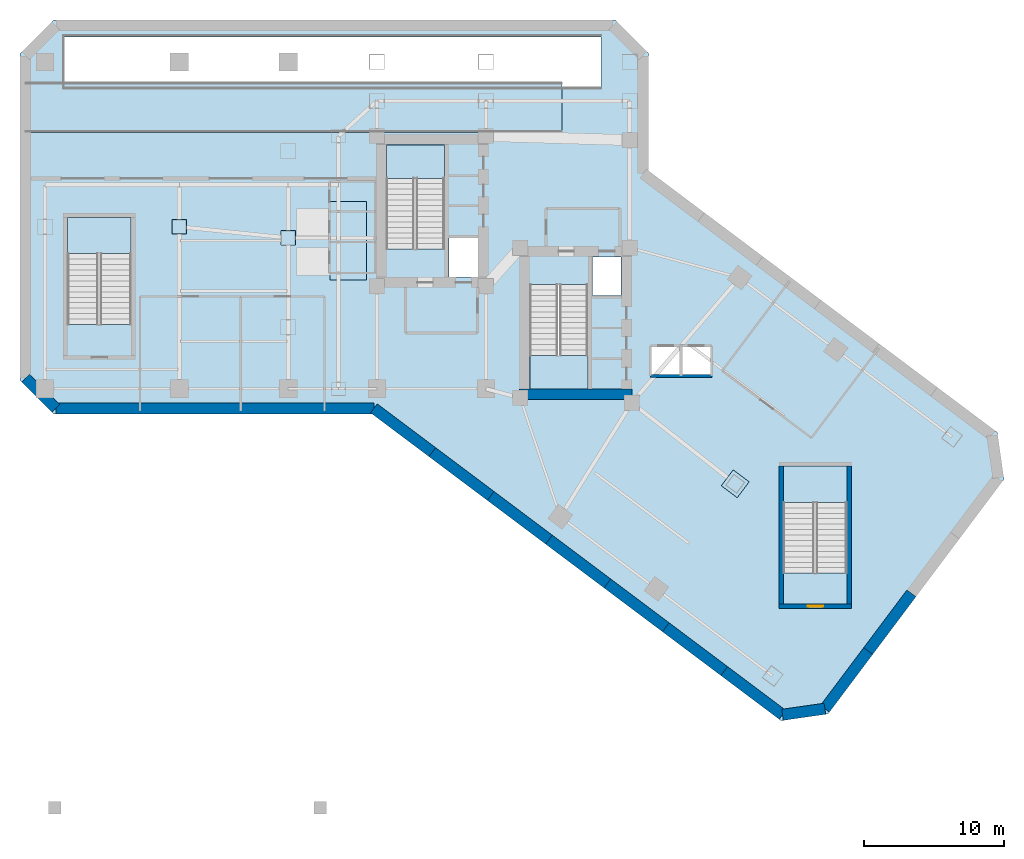
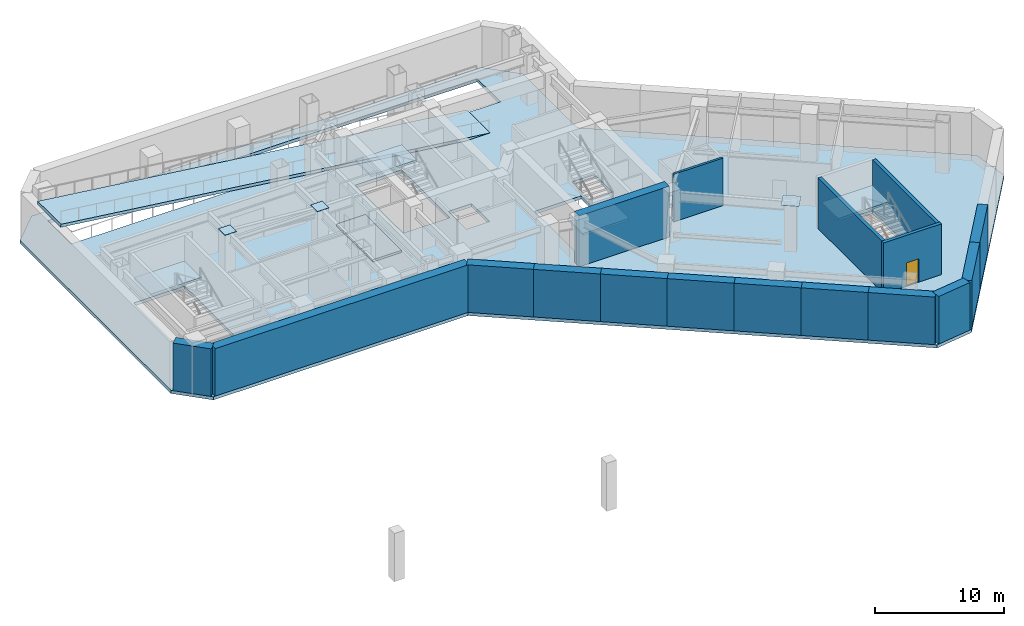
# One storey, part 2 of 9: 17 walls, 7 slabs, 3 plates, 1 door, 1 opening, 4 elements without a shape of their own.
"""IFC4 building model written with IfcOpenShell, lengths in metres."""

from ifc_helpers import new_model, si_unit, direction, frame, frame_2d, origin, origin_2d, place, context, subcontext, project, spatial, polyline, rectangle, outline, extrude, material, layer, layer_set, type_object, element, fill, aggregate, save


model = new_model("IFC4")

# Units and contexts
model_context = context("Model", 3, precision=1e-05, world=origin(), true_north=direction((0.0, 1.0)))
body_context = subcontext(model_context, "Body", "Model", "MODEL_VIEW")
ifc_project = project(units=[si_unit("LENGTHUNIT", "METRE"), si_unit("AREAUNIT", "SQUARE_METRE"), si_unit("VOLUMEUNIT", "CUBIC_METRE"), si_unit("PLANEANGLEUNIT", "RADIAN"), si_unit("MASSUNIT", "GRAM", prefix="KILO")], contexts=[model_context])

# Site, building, storey
site_placement = place(None, origin())
site = spatial("IfcSite", under=ifc_project, at=site_placement, CompositionType="ELEMENT")
building_placement = place(site_placement, origin())
building = spatial("IfcBuilding", under=site, at=building_placement, Name="Hatsunagi Terrace Concourse", CompositionType="ELEMENT")
storey_placement = place(building_placement, frame((0.0, 0.0, -4.800048828125)))
storey = spatial("IfcBuildingStorey", under=building, at=storey_placement, Name="B01", CompositionType="ELEMENT", Elevation=-4.800048828125)

# Plates
ifc_material_1 = material(Name="Steel SN490C", Category="steel")
ifc_layer_1 = layer(ifc_material_1, 0.031982421875)
ifc_layer_set_1 = layer_set([ifc_layer_1], Name="ColumnEndCapPlate_32")
plate_type = type_object("IfcPlateType", Name="ColumnEndCapPlate_32", PredefinedType="USERDEFINED", material=ifc_layer_set_1)
for number, where, z_axis, x_axis, name in (
    (1, (11.39990234375, 36.800048828125, 4.46826171875), (0.0, 0.0, 1.0), (1.0, 0.0, 0.0), "Hollow Column Top Cap Plate GP-03 B01-WT1"),
    (2, (19.199951171875, 36.0, 4.46826171875), (0.0, 0.0, 1.0), (1.0, 0.0, 0.0), "Hollow Column Top Cap Plate GP-03 B01-WT2"),
):
    element("IfcPlate", number, at=place(storey_placement, frame(where, z_axis=z_axis, x_axis=x_axis)), inside=storey, type_object=plate_type, Name=name, ObjectType="GUSSET_PLATE", PredefinedType="USERDEFINED", context=body_context, shape_type="SweptSolid", body=[
        extrude(rectangle(XDim=1.0400390625, YDim=1.0400390625, at=origin_2d()), origin(), (0.0, 0.0, 1.0), 0.031982421875),
    ])
plate_placement = place(storey_placement, frame((51.199951171875, 18.39990234375, 4.46826171875), z_axis=(0.0, 0.0, 1.0), x_axis=(0.799999996291, -0.600000004945, 0.0)))
element("IfcPlate", 3, at=plate_placement, inside=storey, type_object=plate_type, Name="Hollow Column Top Cap Plate GP-03 B01-SEM2", ObjectType="GUSSET_PLATE", PredefinedType="USERDEFINED", context=body_context, shape_type="SweptSolid", body=[
    extrude(rectangle(XDim=1.419921875, YDim=1.419921875, at=origin_2d()), origin(), (0.0, 0.0, 1.0), 0.031982421875),
])

# Stair, slab
ifc_material_2 = material(Name="Concrete Fc42", Category="concrete")
stair_type_1 = type_object("IfcStairType", Name="DoglegExitStair_Podium2200_28R_171", PredefinedType="HALF_TURN_STAIR", material=ifc_material_2)
stair_1_placement = place(storey_placement, origin())
stair_1 = element("IfcStair", 4, at=stair_1_placement, inside=storey, type_object=stair_type_1, Name="B01 West Podium Convention Exit Stair ST-P1", PredefinedType="HALF_TURN_STAIR")
ifc_material_3 = material(Name="Concrete Fc42", Category="concrete")
ifc_layer_2 = layer(ifc_material_3, 0.199951171875)
ifc_layer_set_2 = layer_set([ifc_layer_2], Name="DoglegStairLanding_Podium2200")
slab_type_1 = type_object("IfcSlabType", Name="DoglegStairLanding_Podium2200", PredefinedType="LANDING", material=ifc_layer_set_2)
slab_1_placement = place(storey_placement, frame((0.0, 0.0, 2.199951171875)))
slab_1 = element("IfcSlab", 5, at=slab_1_placement, type_object=slab_type_1, Name="ST-P1 landing 1", PredefinedType="LANDING", context=body_context, shape_type="SweptSolid", body=[
    extrude(outline(polyline([(7.949951171875, 34.8701171875), (7.949951171875, 37.4599609375), (3.39990234375, 37.4599609375), (3.39990234375, 34.8701171875), (7.949951171875, 34.8701171875)])), origin(), (0.0, 0.0, 1.0), 0.2001953125),
])
aggregate(stair_1, [slab_1])

stair_2_placement = place(storey_placement, origin())
stair_2 = element("IfcStair", 6, at=stair_2_placement, inside=storey, type_object=stair_type_1, Name="B01 Southeast Podium Ballroom Exit Stair ST-P2", PredefinedType="HALF_TURN_STAIR")
slab_2_placement = place(storey_placement, frame((0.0, 0.0, 2.199951171875)))
slab_2 = element("IfcSlab", 7, at=slab_2_placement, type_object=slab_type_1, Name="ST-P2 landing 1", PredefinedType="LANDING", context=body_context, shape_type="SweptSolid", body=[
    extrude(outline(polyline([(59.199951171875, 17.070068359375), (59.199951171875, 19.659912109375), (54.64990234375, 19.659912109375), (54.64990234375, 17.070068359375), (59.199951171875, 17.070068359375)])), origin(), (0.0, 0.0, 1.0), 0.2001953125),
])
aggregate(stair_2, [slab_2])

ifc_material_4 = material(Name="Concrete Fc42", Category="concrete")
stair_type_2 = type_object("IfcStairType", Name="DoglegExitStair_Tower2000_28R_171", PredefinedType="HALF_TURN_STAIR", material=ifc_material_4)
stair_3_placement = place(storey_placement, origin())
stair_3 = element("IfcStair", 8, at=stair_3_placement, inside=storey, type_object=stair_type_2, Name="B01 Core A Protected Exit Stair ST-A", PredefinedType="HALF_TURN_STAIR")
ifc_material_5 = material(Name="Concrete Fc42", Category="concrete")
ifc_layer_3 = layer(ifc_material_5, 0.199951171875)
ifc_layer_set_3 = layer_set([ifc_layer_3], Name="DoglegStairLanding_Tower2000")
slab_type_2 = type_object("IfcSlabType", Name="DoglegStairLanding_Tower2000", PredefinedType="LANDING", material=ifc_layer_set_3)
slab_3_placement = place(storey_placement, frame((0.0, 0.0, 2.199951171875)))
slab_3 = element("IfcSlab", 9, at=slab_3_placement, type_object=slab_type_2, Name="ST-A landing 1", PredefinedType="LANDING", context=body_context, shape_type="SweptSolid", body=[
    extrude(outline(polyline([(30.3798828125, 40.27001953125), (30.3798828125, 42.659912109375), (26.22998046875, 42.659912109375), (26.22998046875, 40.27001953125), (30.3798828125, 40.27001953125)])), origin(), (0.0, 0.0, 1.0), 0.2001953125),
])
aggregate(stair_3, [slab_3])

stair_4_placement = place(storey_placement, origin())
stair_4 = element("IfcStair", 10, at=stair_4_placement, inside=storey, type_object=stair_type_2, Name="B01 Core B Protected Exit Stair ST-B", PredefinedType="HALF_TURN_STAIR")
slab_4_placement = place(storey_placement, frame((0.0, 0.0, 2.199951171875)))
slab_4 = element("IfcSlab", 11, at=slab_4_placement, type_object=slab_type_2, Name="ST-B landing 1", PredefinedType="LANDING", context=body_context, shape_type="SweptSolid", body=[
    extrude(outline(polyline([(36.5, 27.590087890625), (36.5, 25.199951171875), (40.64990234375, 25.199951171875), (40.64990234375, 27.590087890625), (36.5, 27.590087890625)])), origin(), (0.0, 0.0, 1.0), 0.2001953125),
])
aggregate(stair_4, [slab_4])

# Slabs
ifc_material_6 = material(Name="Concrete Fc42", Category="concrete")
ifc_layer_4 = layer(ifc_material_6, 0.300048828125)
ifc_layer_set_4 = layer_set([ifc_layer_4], Name="PodiumTransferSlab_Fc42_300")
slab_type_3 = type_object("IfcSlabType", Name="PodiumTransferSlab_Fc42_300", PredefinedType="FLOOR", material=ifc_layer_set_4)
slab_5_placement = place(storey_placement, frame((0.0, 0.0, -0.300048828125)))
element("IfcSlab", 12, at=slab_5_placement, inside=storey, type_object=slab_type_3, Name="Floor Slab SL-300 B01", PredefinedType="FLOOR", context=body_context, shape_type="SweptSolid", body=[
    extrude(outline(polyline([(45.0, 40.800048828125), (45.0, 49.199951171875), (42.60009765625, 51.60009765625), (2.39990234375, 51.60009765625), (0.0, 49.199951171875), (0.0, 25.800048828125), (2.39990234375, 23.39990234375), (25.199951171875, 23.39990234375), (54.47998046875, 1.43994140625), (57.840087890625, 1.919921875), (70.43994140625, 18.719970703125), (69.9599609375, 22.080078125), (45.0, 40.800048828125)]), holes=[polyline([(26.22998046875, 35.205078125), (30.3798828125, 35.205078125), (30.3798828125, 42.659912109375), (26.22998046875, 42.659912109375), (26.22998046875, 35.205078125)]), polyline([(36.5, 25.199951171875), (40.64990234375, 25.199951171875), (40.64990234375, 32.655029296875), (36.5, 32.655029296875), (36.5, 25.199951171875)]), polyline([(3.39990234375, 29.804931640625), (7.949951171875, 29.804931640625), (7.949951171875, 37.4599609375), (3.39990234375, 37.4599609375), (3.39990234375, 29.804931640625)]), polyline([(54.64990234375, 12.0048828125), (59.199951171875, 12.0048828125), (59.199951171875, 19.659912109375), (54.64990234375, 19.659912109375), (54.64990234375, 12.0048828125)]), polyline([(30.719970703125, 33.219970703125), (32.780029296875, 33.219970703125), (32.780029296875, 35.97998046875), (30.719970703125, 35.97998046875), (30.719970703125, 33.219970703125)]), polyline([(40.97998046875, 31.8798828125), (43.02001953125, 31.8798828125), (43.02001953125, 34.639892578125), (40.97998046875, 34.639892578125), (40.97998046875, 31.8798828125)]), polyline([(45.199951171875, 26.199951171875), (47.25, 26.199951171875), (47.25, 28.199951171875), (45.199951171875, 28.199951171875), (45.199951171875, 26.199951171875)]), polyline([(47.39990234375, 26.199951171875), (49.449951171875, 26.199951171875), (49.449951171875, 28.199951171875), (47.39990234375, 28.199951171875), (47.39990234375, 26.199951171875)]), polyline([(3.199951171875, 46.800048828125), (41.592041015625, 46.800048828125), (41.592041015625, 50.39990234375), (3.199951171875, 50.39990234375), (3.199951171875, 46.800048828125)])]), origin(), (0.0, 0.0, 1.0), 0.300048828125),
])
slab_6_placement = place(storey_placement, origin())
element("IfcSlab", 13, at=slab_6_placement, inside=storey, type_object=slab_type_3, Name="B01 Service Concourse Raised Dais Slab", PredefinedType="FLOOR", context=body_context, shape_type="SweptSolid", body=[
    extrude(outline(polyline([(22.199951171875, 33.0), (24.800048828125, 33.0), (24.800048828125, 38.60009765625), (22.199951171875, 38.60009765625), (22.199951171875, 33.0)])), origin(), (0.0, 0.0, 1.0), 0.199951171875),
])
ifc_material_7 = material(Name="Concrete Fc42", Category="concrete")
ifc_layer_5 = layer(ifc_material_7, 0.280029296875)
ifc_layer_set_5 = layer_set([ifc_layer_5], Name="VehicleRampStructuralSlab-Concrete-Fc42-280")
slab_type_4 = type_object("IfcSlabType", Name="VehicleRampStructuralSlab-Concrete-Fc42-280", PredefinedType="FLOOR", material=ifc_layer_set_5)
slab_7_placement = place(storey_placement, frame((38.800048828125, 43.550048828125, 0.0), z_axis=(0.124035511046, 0.0, 0.992277779656), x_axis=(-0.992277779656, 0.0, 0.124035511046)))
element("IfcSlab", 14, at=slab_7_placement, inside=storey, type_object=slab_type_4, Name="Car Park Vehicle Ramp R2 Structural Slab Concrete Fc42 B01-L01", PredefinedType="FLOOR", context=body_context, shape_type="SweptSolid", body=[
    extrude(outline(polyline([(0.0, 0.0), (38.69898860143301, 0.0), (38.69898860143301, -3.599853515625001), (0.0, -3.599853515625001), (0.0, 0.0)])), origin(), (0.0, 0.0, -1.0), 0.280029296875),
])

# Walls
ifc_material_8 = material(Name="Concrete Fc48", Category="concrete")
ifc_layer_6 = layer(ifc_material_8, 0.800048828125)
ifc_layer_set_6 = layer_set([ifc_layer_6], Name="BasementRetainingWall_Fc48_800")
wall_type_1 = type_object("IfcWallType", Name="BasementRetainingWall_Fc48_800", PredefinedType="SHEAR", material=ifc_layer_set_6)
wall_1_placement = place(storey_placement, frame((63.820068359375, 10.56005859375, 0.0), z_axis=(0.0, 0.0, 1.0), x_axis=(-0.600158745341, -0.799880916381, 0.0)))
element("IfcWall", 15, at=wall_1_placement, inside=storey, type_object=wall_type_1, Name="Basement Retaining Wall B01-03-3", PredefinedType="SHEAR", context=body_context, shape_type="SweptSolid", body=[
    extrude(rectangle(XDim=5.1669921875, YDim=0.800048828125, at=frame_2d((2.58349609375, 0.0))), origin(), (0.0, 0.0, 1.0), 4.5),
])
wall_2_placement = place(storey_placement, frame((60.718994140625, 6.427001953125, 0.0), z_axis=(0.0, 0.0, 1.0), x_axis=(-0.599947081635, -0.800039686039, 0.0)))
element("IfcWall", 16, at=wall_2_placement, inside=storey, type_object=wall_type_1, Name="Basement Retaining Wall B01-03-4", PredefinedType="SHEAR", context=body_context, shape_type="SweptSolid", body=[
    extrude(rectangle(XDim=5.167236328125, YDim=0.800048828125, at=frame_2d((2.58349609375, 0.0))), origin(), (0.0, 0.0, 1.0), 4.5),
])
wall_3_placement = place(storey_placement, frame((57.618896484375, 2.29296875, 0.0), z_axis=(0.0, 0.0, 1.0), x_axis=(-0.989906404935, -0.141722649809, 0.0)))
element("IfcWall", 17, at=wall_3_placement, inside=storey, type_object=wall_type_1, Name="Basement Retaining Wall B01-04", PredefinedType="SHEAR", context=body_context, shape_type="SweptSolid", body=[
    extrude(rectangle(XDim=3.06298828125, YDim=0.800048828125, at=frame_2d((1.531494140625, 0.0))), origin(), (0.0, 0.0, 1.0), 4.5),
])
wall_4_placement = place(storey_placement, frame((54.5869140625, 1.85888671875, 0.0), z_axis=(0.0, 0.0, 1.0), x_axis=(-0.800016825418, 0.599977565455, 0.0)))
element("IfcWall", 18, at=wall_4_placement, inside=storey, type_object=wall_type_1, Name="Basement Retaining Wall B01-05-1", PredefinedType="SHEAR", context=body_context, shape_type="SweptSolid", body=[
    extrude(rectangle(XDim=5.2236328125, YDim=0.800048828125, at=frame_2d((2.61181640625, 0.0))), origin(), (0.0, 0.0, 1.0), 4.5),
])
wall_5_placement = place(storey_placement, frame((50.407958984375, 4.992919921875, 0.0), z_axis=(0.0, 0.0, 1.0), x_axis=(-0.799927090767, 0.600097200008, 0.0)))
element("IfcWall", 19, at=wall_5_placement, inside=storey, type_object=wall_type_1, Name="Basement Retaining Wall B01-05-2", PredefinedType="SHEAR", context=body_context, shape_type="SweptSolid", body=[
    extrude(rectangle(XDim=5.22412109375, YDim=0.800048828125, at=frame_2d((2.612060546875, 0.0))), origin(), (0.0, 0.0, 1.0), 4.5),
])
wall_6_placement = place(storey_placement, frame((46.22900390625, 8.1279296875, 0.0), z_axis=(0.0, 0.0, 1.0), x_axis=(-0.800016825418, 0.599977565455, 0.0)))
element("IfcWall", 20, at=wall_6_placement, inside=storey, type_object=wall_type_1, Name="Basement Retaining Wall B01-05-3", PredefinedType="SHEAR", context=body_context, shape_type="SweptSolid", body=[
    extrude(rectangle(XDim=5.2236328125, YDim=0.800048828125, at=frame_2d((2.61181640625, 0.0))), origin(), (0.0, 0.0, 1.0), 4.5),
])
wall_7_placement = place(storey_placement, frame((42.050048828125, 11.261962890625, 0.0), z_axis=(0.0, 0.0, 1.0), x_axis=(-0.799994392855, 0.60000747612, 0.0)))
element("IfcWall", 21, at=wall_7_placement, inside=storey, type_object=wall_type_1, Name="Basement Retaining Wall B01-05-4", PredefinedType="SHEAR", context=body_context, shape_type="SweptSolid", body=[
    extrude(rectangle(XDim=5.224853515625, YDim=0.800048828125, at=frame_2d((2.6123046875, 0.0))), origin(), (0.0, 0.0, 1.0), 4.5),
])
wall_8_placement = place(storey_placement, frame((37.8701171875, 14.39697265625, 0.0), z_axis=(0.0, 0.0, 1.0), x_axis=(-0.800033648948, 0.599955132115, 0.0)))
element("IfcWall", 22, at=wall_8_placement, inside=storey, type_object=wall_type_1, Name="Basement Retaining Wall B01-05-5", PredefinedType="SHEAR", context=body_context, shape_type="SweptSolid", body=[
    extrude(rectangle(XDim=5.223876953125, YDim=0.800048828125, at=frame_2d((2.61181640625, 0.0))), origin(), (0.0, 0.0, 1.0), 4.5),
])
wall_9_placement = place(storey_placement, frame((33.69091796875, 17.531005859375, 0.0), z_axis=(0.0, 0.0, 1.0), x_axis=(-0.799927090767, 0.600097200008, 0.0)))
element("IfcWall", 23, at=wall_9_placement, inside=storey, type_object=wall_type_1, Name="Basement Retaining Wall B01-05-6", PredefinedType="SHEAR", context=body_context, shape_type="SweptSolid", body=[
    extrude(rectangle(XDim=5.22412109375, YDim=0.800048828125, at=frame_2d((2.612060546875, 0.0))), origin(), (0.0, 0.0, 1.0), 4.5),
])
wall_10_placement = place(storey_placement, frame((29.511962890625, 20.666015625, 0.0), z_axis=(0.0, 0.0, 1.0), x_axis=(-0.800016825418, 0.599977565455, 0.0)))
element("IfcWall", 24, at=wall_10_placement, inside=storey, type_object=wall_type_1, Name="Basement Retaining Wall B01-05-7", PredefinedType="SHEAR", context=body_context, shape_type="SweptSolid", body=[
    extrude(rectangle(XDim=5.2236328125, YDim=0.800048828125, at=frame_2d((2.61181640625, 0.0))), origin(), (0.0, 0.0, 1.0), 4.5),
])
wall_11_placement = place(storey_placement, frame((25.3330078125, 23.800048828125, 0.0), z_axis=(0.0, 0.0, 1.0), x_axis=(-1.0, 0.0, 0.0)))
element("IfcWall", 25, at=wall_11_placement, inside=storey, type_object=wall_type_1, Name="Basement Retaining Wall B01-06", PredefinedType="SHEAR", context=body_context, shape_type="SweptSolid", body=[
    extrude(rectangle(XDim=22.76708984375, YDim=0.800048828125, at=frame_2d((11.383544921875, 0.0))), origin(), (0.0, 0.0, 1.0), 4.5),
])
wall_12_placement = place(storey_placement, frame((2.56591796875, 23.800048828125, 0.0), z_axis=(0.0, 0.0, 1.0), x_axis=(-0.707106781187, 0.707106781187, 0.0)))
element("IfcWall", 26, at=wall_12_placement, inside=storey, type_object=wall_type_1, Name="Basement Retaining Wall B01-07", PredefinedType="SHEAR", context=body_context, shape_type="SweptSolid", body=[
    extrude(rectangle(XDim=3.063232421875, YDim=0.800048828125, at=frame_2d((1.53173828125, 0.0))), origin(), (0.0, 0.0, 1.0), 4.5),
])
ifc_material_9 = material(Name="Concrete Fc60", Category="concrete")
ifc_layer_7 = layer(ifc_material_9, 0.75)
ifc_layer_set_7 = layer_set([ifc_layer_7], Name="CoreShearWall_Fc60_750")
wall_type_2 = type_object("IfcWallType", Name="CoreShearWall_Fc60_750", PredefinedType="SHEAR", material=ifc_layer_set_7)
wall_13_placement = place(storey_placement, frame((35.739990234375, 24.81494140625, 0.0), z_axis=(0.0, 0.0, 1.0), x_axis=(1.0, 0.0, 0.0)))
element("IfcWall", 27, at=wall_13_placement, inside=storey, type_object=wall_type_2, Name="Core B Shear Wall S B01", PredefinedType="SHEAR", context=body_context, shape_type="SweptSolid", body=[
    extrude(rectangle(XDim=8.06005859375, YDim=0.75, at=frame_2d((4.030029296875, 0.0))), origin(), (0.0, 0.0, 1.0), 4.800048828125),
])

# Wall, opening, door
ifc_material_10 = material(Name="Concrete Fc48", Category="concrete")
ifc_layer_8 = layer(ifc_material_10, 0.300048828125)
ifc_layer_set_8 = layer_set([ifc_layer_8], Name="CoreStairDivider_Fc48_300")
wall_type_3 = type_object("IfcWallType", Name="CoreStairDivider_Fc48_300", PredefinedType="SHEAR", material=ifc_layer_set_8)
wall_14_placement = place(storey_placement, frame((54.340087890625, 9.639892578125, 0.0), z_axis=(0.0, 0.0, 1.0), x_axis=(1.0, 0.0, 0.0)))
wall_14 = element("IfcWall", 28, at=wall_14_placement, inside=storey, type_object=wall_type_3, Name="Podium Stair P2 Shear Wall S B01", PredefinedType="SHEAR", context=body_context, shape_type="SweptSolid", body=[
    extrude(rectangle(XDim=5.169921875, YDim=0.300048828125, at=frame_2d((2.5849609375, 0.0))), origin(), (0.0, 0.0, 1.0), 4.800048828125),
])
opening_placement = place(wall_14_placement, frame((2.06005859375, 0.0, 0.0)))
opening = element("IfcOpeningElement", 29, at=opening_placement, cuts=wall_14, Name="Opening DR-110S", PredefinedType="OPENING", context=body_context, shape_type="SweptSolid", body=[
    extrude(rectangle(XDim=1.10009765625, YDim=2.199951171875, at=frame_2d((0.550048828125, 1.10009765625))), frame((0.0, 0.159912109375, 0.0), z_axis=(0.0, -1.0, 0.0), x_axis=(1.0, 0.0, 0.0)), (0.0, 0.0, 1.0), 0.320068359375),
])
ifc_material_11 = material(Name="Painted steel", Category="steel")
door_type = type_object("IfcDoorType", Name="StairFireDoor_EI60_1100", OperationType="NOTDEFINED", PredefinedType="DOOR", material=ifc_material_11)
door_placement = place(opening_placement, origin())
door = element("IfcDoor", 30, at=door_placement, inside=storey, type_object=door_type, Name="Stair ST-P2 Exit Door B01", OperationType="SINGLE_SWING_RIGHT", OverallHeight=2.199951171875, OverallWidth=1.10009765625, PredefinedType="DOOR", context=body_context, shape_type="SweptSolid", body=[
    extrude(rectangle(XDim=1.10009765625, YDim=2.199951171875, at=frame_2d((0.550048828125, 1.10009765625))), frame((0.0, 0.02490234375, 0.0), z_axis=(0.0, -1.0, 0.0), x_axis=(1.0, 0.0, 0.0)), (0.0, 0.0, 1.0), 0.050048828125),
])
fill(opening, door)

# Walls
for number, where, z_axis, x_axis, name in (
    (31, (54.489990234375, 9.7900390625, 0.0), (0.0, 0.0, 1.0), (0.0, 1.0, 0.0), "Podium Stair P2 Shear Wall W B01"),
    (32, (59.360107421875, 9.7900390625, 0.0), (0.0, 0.0, 1.0), (0.0, 1.0, 0.0), "Podium Stair P2 Shear Wall E B01"),
):
    element("IfcWall", number, at=place(storey_placement, frame(where, z_axis=z_axis, x_axis=x_axis)), inside=storey, type_object=wall_type_3, Name=name, PredefinedType="SHEAR", context=body_context, shape_type="SweptSolid", body=[
        extrude(rectangle(XDim=9.8798828125, YDim=0.300048828125, at=frame_2d((4.93994140625, 0.0))), origin(), (0.0, 0.0, 1.0), 4.800048828125),
    ])
ifc_material_12 = material(Name="Acoustic mineral board", Category="gypsum")
ifc_layer_9 = layer(ifc_material_12, 0.199951171875)
ifc_layer_set_9 = layer_set([ifc_layer_9], Name="ShaftWall_EI120_200")
wall_type_4 = type_object("IfcWallType", Name="ShaftWall_EI120_200", PredefinedType="STANDARD", material=ifc_layer_set_9)
wall_15_placement = place(storey_placement, frame((45.1201171875, 26.1201171875, 0.0), z_axis=(0.0, 0.0, 1.0), x_axis=(1.0, 0.0, 0.0)))
element("IfcWall", 33, at=wall_15_placement, inside=storey, type_object=wall_type_4, Name="Interior Partition IW-B01-013", PredefinedType="STANDARD", context=body_context, shape_type="SweptSolid", body=[
    extrude(rectangle(XDim=4.39990234375, YDim=0.199951171875, at=frame_2d((2.199951171875, 0.0))), origin(), (0.0, 0.0, 1.0), 4.5),
])

save(model, "model.ifc")
